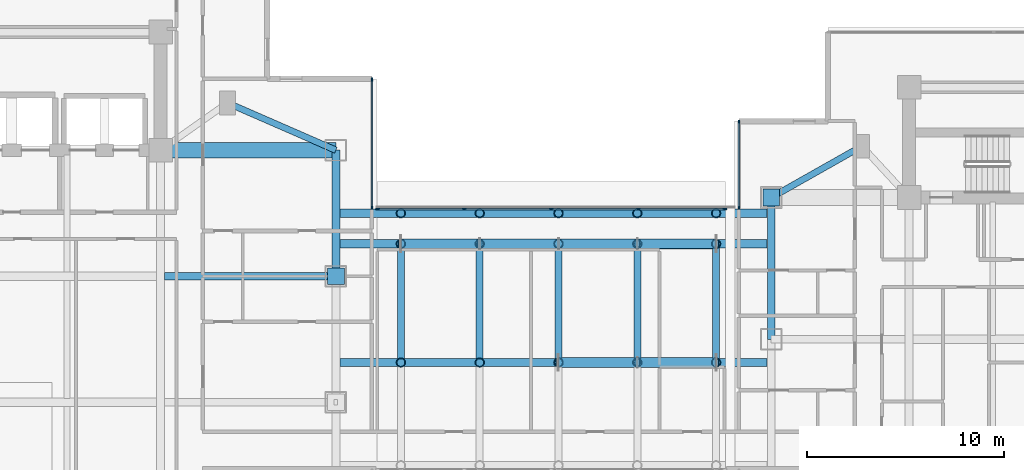
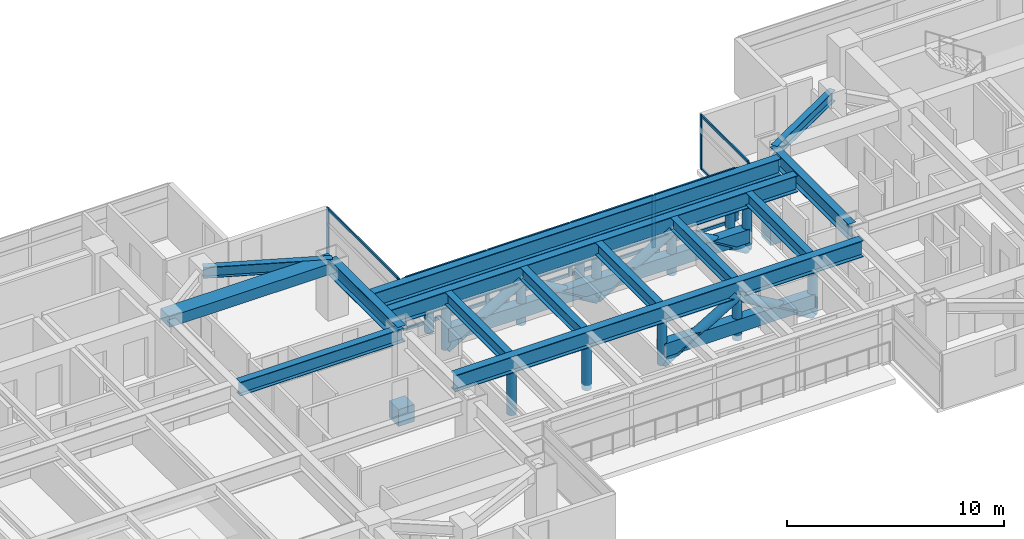
# One storey, part 6 of 29: 46 members, 14 beams, 3 elements without a shape of their own.
"""IFC4 building model written with IfcOpenShell, lengths in metres."""

from ifc_helpers import new_model, si_unit, direction, frame, origin, origin_2d, place, context, subcontext, project, spatial, rectangle, hollow_rectangle, hollow_circle, i_section, extrude, material, material_profile, profile_set, type_object, element, aggregate, save


model = new_model("IFC4")

# Units and contexts
model_context = context("Model", 3, precision=1e-05, world=origin(), true_north=direction((0.0, 1.0)))
body_context = subcontext(model_context, "Body", "Model", "MODEL_VIEW")
ifc_project = project(units=[si_unit("LENGTHUNIT", "METRE"), si_unit("AREAUNIT", "SQUARE_METRE"), si_unit("VOLUMEUNIT", "CUBIC_METRE"), si_unit("PLANEANGLEUNIT", "RADIAN"), si_unit("MASSUNIT", "GRAM", prefix="KILO")], contexts=[model_context])

# Site, building, storey
site_placement = place(None, origin())
site = spatial("IfcSite", under=ifc_project, at=site_placement, CompositionType="ELEMENT")
building_placement = place(site_placement, origin())
building = spatial("IfcBuilding", under=site, at=building_placement, Name="Mirazonda Arch Towers", CompositionType="ELEMENT")
storey_placement = place(building_placement, frame((0.0, 0.0, 88.39990234375)))
storey = spatial("IfcBuildingStorey", under=building, at=storey_placement, Name="L24", CompositionType="ELEMENT", Elevation=88.39990234375)

# Beams
ifc_material_1 = material(Name="Steel ASTM A992 Grade 50", Category="steel")
ifc_material_profile_1 = material_profile(ifc_material_1, i_section(OverallWidth=0.39990234375, OverallDepth=0.85595703125, WebThickness=0.018310546875, FlangeThickness=0.029296875, at=origin_2d()), Name="W33X201")
ifc_profile_set_1 = profile_set([ifc_material_profile_1], Name="Steel ASTM A992 Grade 50")
beam_type_1 = type_object("IfcBeamType", Name="BM-EXT-W33X201", PredefinedType="USERDEFINED", material=ifc_profile_set_1)
beam_1_placement = place(storey_placement, frame((61.0, 28.0, 2.652099609375), z_axis=(0.0, 1.0, 0.0), x_axis=(-1.0, 0.0, 0.0)))
element("IfcBeam", 1, at=beam_1_placement, inside=storey, type_object=beam_type_1, Name="L24 Floor Beam BM-T2-L24-NS-W-28", ObjectType="GIRDER", PredefinedType="USERDEFINED", context=body_context, shape_type="SweptSolid", body=[
    extrude(i_section(OverallWidth=0.39990234375, OverallDepth=0.85595703125, WebThickness=0.018310546875, FlangeThickness=0.029296875, at=origin_2d()), origin(), (0.0, 0.0, 1.0), 7.199951171875),
])
ifc_material_profile_2 = material_profile(ifc_material_1, i_section(OverallWidth=0.41796875, OverallDepth=0.927001953125, WebThickness=0.019287109375, FlangeThickness=0.031982421875, at=origin_2d()), Name="W36X231")
ifc_profile_set_2 = profile_set([ifc_material_profile_2], Name="Steel ASTM A992 Grade 50")
beam_type_2 = type_object("IfcBeamType", Name="BM-EXT-W36X231", PredefinedType="USERDEFINED", material=ifc_profile_set_2)
beam_2_placement = place(storey_placement, frame((38.89990234375, 31.199951171875, 2.61669921875), z_axis=(0.0, 1.0, 0.0), x_axis=(-1.0, 0.0, 0.0)))
element("IfcBeam", 2, at=beam_2_placement, inside=storey, type_object=beam_type_2, Name="L24 Floor Beam BM-T1-L24-NS-E-31", ObjectType="GIRDER", PredefinedType="USERDEFINED", context=body_context, shape_type="SweptSolid", body=[
    extrude(i_section(OverallWidth=0.41796875, OverallDepth=0.927001953125, WebThickness=0.019287109375, FlangeThickness=0.031982421875, at=origin_2d()), origin(), (0.0, 0.0, 1.0), 6.400146484375),
])
beam_3_placement = place(storey_placement, frame((39.10400390625, 34.39990234375, 2.556640625), z_axis=(1.0, 0.0, 0.0), x_axis=(0.0, 1.0, 0.0)))
element("IfcBeam", 3, at=beam_3_placement, inside=storey, type_object=beam_type_2, Name="L25 Skybridge N Longitudinal Box Girder", ObjectType="GIRDER", PredefinedType="USERDEFINED", context=body_context, shape_type="SweptSolid", body=[
    extrude(i_section(OverallWidth=0.41796875, OverallDepth=0.927001953125, WebThickness=0.019287109375, FlangeThickness=0.031982421875, at=origin_2d()), origin(), (0.0, 0.0, 1.0), 21.69189453125),
])
ifc_material_profile_3 = material_profile(ifc_material_1, i_section(OverallWidth=0.324951171875, OverallDepth=0.615966796875, WebThickness=0.013916015625, FlangeThickness=0.021484375, at=origin_2d()), Name="W24X117")
ifc_profile_set_3 = profile_set([ifc_material_profile_3], Name="Steel ASTM A992 Grade 50")
beam_type_3 = type_object("IfcBeamType", Name="BM-INT-W24X117", PredefinedType="BEAM", material=ifc_profile_set_3)
beam_4_placement = place(storey_placement, frame((33.39990234375, 40.0, 2.772216796875), z_axis=(0.916545343703, -0.399930785183, 0.0), x_axis=(0.399930785183, 0.916545343703, 0.0)))
element("IfcBeam", 4, at=beam_4_placement, inside=storey, type_object=beam_type_3, Name="L24 Floor Beam BM-T1-L24-PL-NE2", PredefinedType="BEAM", context=body_context, shape_type="SweptSolid", body=[
    extrude(i_section(OverallWidth=0.324951171875, OverallDepth=0.615966796875, WebThickness=0.013916015625, FlangeThickness=0.021484375, at=origin_2d()), origin(), (0.0, 0.0, 1.0), 6.000732421875),
])
beam_5_placement = place(storey_placement, frame((65.60009765625, 37.800048828125, 2.772216796875), z_axis=(-0.870559396632, -0.492063346467, 0.0), x_axis=(0.492063346467, -0.870559396632, 0.0)))
element("IfcBeam", 5, at=beam_5_placement, inside=storey, type_object=beam_type_3, Name="L24 Floor Beam BM-T2-L24-PL-NW2", PredefinedType="BEAM", context=body_context, shape_type="SweptSolid", body=[
    extrude(i_section(OverallWidth=0.324951171875, OverallDepth=0.615966796875, WebThickness=0.013916015625, FlangeThickness=0.021484375, at=origin_2d()), origin(), (0.0, 0.0, 1.0), 5.2841796875),
])
ifc_material_profile_4 = material_profile(ifc_material_1, i_section(OverallWidth=0.35498046875, OverallDepth=0.696044921875, WebThickness=0.015380859375, FlangeThickness=0.02490234375, at=origin_2d()), Name="W27X146")
ifc_profile_set_4 = profile_set([ifc_material_profile_4], Name="Steel ASTM A992 Grade 50")
beam_type_4 = type_object("IfcBeamType", Name="BM-INT-W27X146", PredefinedType="BEAM", material=ifc_profile_set_4)
for number, where, z_axis, x_axis, name in (
    (6, (42.199951171875, 27.02392578125, 2.672119140625), (0.0, 1.0, 0.0), (-1.0, 0.0, 0.0), "L24 Floor Beam BM-BRG-L25-XG1B"),
    (7, (46.199951171875, 27.02392578125, 2.672119140625), (0.0, 1.0, 0.0), (-1.0, 0.0, 0.0), "L24 Floor Beam BM-BRG-L25-XG2B"),
    (8, (50.199951171875, 27.02392578125, 2.672119140625), (0.0, 1.0, 0.0), (-1.0, 0.0, 0.0), "L24 Floor Beam BM-BRG-L25-XG3B"),
    (9, (54.199951171875, 27.02392578125, 2.672119140625), (0.0, 1.0, 0.0), (-1.0, 0.0, 0.0), "L24 Floor Beam BM-BRG-L25-XG4B"),
    (10, (58.199951171875, 27.02392578125, 2.672119140625), (0.0, 1.0, 0.0), (-1.0, 0.0, 0.0), "L24 Floor Beam BM-BRG-L25-XG5B"),
):
    element("IfcBeam", number, at=place(storey_placement, frame(where, z_axis=z_axis, x_axis=x_axis)), inside=storey, type_object=beam_type_4, Name=name, PredefinedType="BEAM", context=body_context, shape_type="SweptSolid", body=[
        extrude(i_section(OverallWidth=0.35498046875, OverallDepth=0.696044921875, WebThickness=0.015380859375, FlangeThickness=0.02490234375, at=origin_2d()), origin(), (0.0, 0.0, 1.0), 5.6220703125),
    ])
ifc_material_profile_5 = material_profile(ifc_material_1, i_section(OverallWidth=0.381103515625, OverallDepth=0.77294921875, WebThickness=0.0166015625, FlangeThickness=0.027099609375, at=origin_2d()), Name="W30X173")
ifc_profile_set_5 = profile_set([ifc_material_profile_5], Name="Steel ASTM A992 Grade 50")
beam_type_5 = type_object("IfcBeamType", Name="BM-INT-W30X173", PredefinedType="USERDEFINED", material=ifc_profile_set_5)
beam_6_placement = place(storey_placement, frame((30.21142578125, 31.199951171875, 2.693603515625), z_axis=(1.0, 0.0, 0.0), x_axis=(0.0, 1.0, 0.0)))
element("IfcBeam", 11, at=beam_6_placement, inside=storey, type_object=beam_type_5, Name="L24 Floor Beam BM-T1-L24-GE3", ObjectType="GIRDER", PredefinedType="USERDEFINED", context=body_context, shape_type="SweptSolid", body=[
    extrude(i_section(OverallWidth=0.381103515625, OverallDepth=0.77294921875, WebThickness=0.0166015625, FlangeThickness=0.027099609375, at=origin_2d()), origin(), (0.0, 0.0, 1.0), 8.6884765625),
])
ifc_material_profile_6 = material_profile(ifc_material_1, i_section(OverallWidth=0.41796875, OverallDepth=0.927001953125, WebThickness=0.019287109375, FlangeThickness=0.031982421875, at=origin_2d()), Name="W36X231")
ifc_profile_set_6 = profile_set([ifc_material_profile_6], Name="Steel ASTM A992 Grade 50")
beam_type_6 = type_object("IfcBeamType", Name="BM-INT-W36X231", PredefinedType="USERDEFINED", material=ifc_profile_set_6)
for number, where, z_axis, x_axis, name in (
    (12, (39.10400390625, 26.820068359375, 2.556640625), (1.0, 0.0, 0.0), (0.0, 1.0, 0.0), "L25 Skybridge IS Interior Truss Girder"),
    (13, (39.10400390625, 32.85009765625, 2.556640625), (1.0, 0.0, 0.0), (0.0, 1.0, 0.0), "L25 Skybridge IN Interior Truss Girder"),
):
    element("IfcBeam", number, at=place(storey_placement, frame(where, z_axis=z_axis, x_axis=x_axis)), inside=storey, type_object=beam_type_6, Name=name, ObjectType="GIRDER", PredefinedType="USERDEFINED", context=body_context, shape_type="SweptSolid", body=[
        extrude(i_section(OverallWidth=0.41796875, OverallDepth=0.927001953125, WebThickness=0.019287109375, FlangeThickness=0.031982421875, at=origin_2d()), origin(), (0.0, 0.0, 1.0), 21.69189453125),
    ])
ifc_material_2 = material(Name="Concrete C60/75", Category="concrete")
ifc_material_profile_7 = material_profile(ifc_material_2, rectangle(XDim=0.800048828125, YDim=0.60009765625, at=origin_2d()), Name="RCCB800x600")
ifc_profile_set_7 = profile_set([ifc_material_profile_7], Name="Concrete C60/75")
beam_type_7 = type_object("IfcBeamType", Name="CB-INT-RCCB800x600", PredefinedType="SPANDREL", material=ifc_profile_set_7)
beam_7_placement = place(storey_placement, frame((30.0, 37.60009765625, 2.780029296875), z_axis=(1.0, 0.0, 0.0), x_axis=(0.0, 1.0, 0.0)))
element("IfcBeam", 14, at=beam_7_placement, inside=storey, type_object=beam_type_7, Name="L24 Floor Beam CBC-T1-L24-NE", PredefinedType="SPANDREL", context=body_context, shape_type="SweptSolid", body=[
    extrude(rectangle(XDim=0.800048828125, YDim=0.60009765625, at=origin_2d()), origin(), (0.0, 0.0, 1.0), 8.89990234375),
])

# Members
ifc_material_3 = material(Name="Steel ASTM A572 Grade 50", Category="steel")
ifc_material_profile_8 = material_profile(ifc_material_3, hollow_circle(Radius=0.228515625, WallThickness=0.02197265625, at=origin_2d()), Name="BELTSTRUT457x22CHS")
ifc_profile_set_8 = profile_set([ifc_material_profile_8], Name="Steel ASTM A572 Grade 50")
member_type_1 = type_object("IfcMemberType", Name="MBR-EXT-BELTSTRUT457x22CHS", PredefinedType="STRUT", material=ifc_profile_set_8)
for number, where, z_axis, x_axis, name in (
    (15, (42.199951171875, 34.39990234375, -0.289794921875), (0.0, 0.0, 1.0), (1.0, 0.0, 0.0), "L24 Skybridge N Vierendeel Post 1"),
    (16, (46.199951171875, 34.39990234375, -0.289794921875), (0.0, 0.0, 1.0), (1.0, 0.0, 0.0), "L24 Skybridge N Vierendeel Post 2"),
    (17, (50.199951171875, 34.39990234375, -0.289794921875), (0.0, 0.0, 1.0), (1.0, 0.0, 0.0), "L24 Skybridge N Vierendeel Post 3"),
    (18, (54.199951171875, 34.39990234375, -0.289794921875), (0.0, 0.0, 1.0), (1.0, 0.0, 0.0), "L24 Skybridge N Vierendeel Post 4"),
    (19, (58.199951171875, 34.39990234375, -0.289794921875), (0.0, 0.0, 1.0), (1.0, 0.0, 0.0), "L24 Skybridge N Vierendeel Post 5"),
    (20, (42.199951171875, 26.820068359375, -0.289794921875), (0.0, 0.0, 1.0), (1.0, 0.0, 0.0), "L24 Skybridge IS Interior Truss Post 1"),
    (21, (46.199951171875, 26.820068359375, -0.289794921875), (0.0, 0.0, 1.0), (1.0, 0.0, 0.0), "L24 Skybridge IS Interior Truss Post 2"),
    (22, (50.199951171875, 26.820068359375, -0.289794921875), (0.0, 0.0, 1.0), (1.0, 0.0, 0.0), "L24 Skybridge IS Interior Truss Post 3"),
    (23, (54.199951171875, 26.820068359375, -0.289794921875), (0.0, 0.0, 1.0), (1.0, 0.0, 0.0), "L24 Skybridge IS Interior Truss Post 4"),
    (24, (58.199951171875, 26.820068359375, -0.289794921875), (0.0, 0.0, 1.0), (1.0, 0.0, 0.0), "L24 Skybridge IS Interior Truss Post 5"),
    (25, (42.199951171875, 32.85009765625, -0.289794921875), (0.0, 0.0, 1.0), (1.0, 0.0, 0.0), "L24 Skybridge IN Interior Truss Post 1"),
    (26, (46.199951171875, 32.85009765625, -0.289794921875), (0.0, 0.0, 1.0), (1.0, 0.0, 0.0), "L24 Skybridge IN Interior Truss Post 2"),
    (27, (50.199951171875, 32.85009765625, -0.289794921875), (0.0, 0.0, 1.0), (1.0, 0.0, 0.0), "L24 Skybridge IN Interior Truss Post 3"),
    (28, (54.199951171875, 32.85009765625, -0.289794921875), (0.0, 0.0, 1.0), (1.0, 0.0, 0.0), "L24 Skybridge IN Interior Truss Post 4"),
    (29, (58.199951171875, 32.85009765625, -0.289794921875), (0.0, 0.0, 1.0), (1.0, 0.0, 0.0), "L24 Skybridge IN Interior Truss Post 5"),
):
    element("IfcMember", number, at=place(storey_placement, frame(where, z_axis=z_axis, x_axis=x_axis)), inside=storey, type_object=member_type_1, Name=name, PredefinedType="STRUT", context=body_context, shape_type="SweptSolid", body=[
        extrude(hollow_circle(Radius=0.228515625, WallThickness=0.02197265625, at=origin_2d()), origin(), (0.0, 0.0, 1.0), 2.392822265625),
    ])
ifc_material_profile_9 = material_profile(ifc_material_3, hollow_rectangle(XDim=0.5, YDim=0.75, WallThickness=0.0419921875, at=origin_2d()), Name="BRGCHORD750x500x42")
ifc_profile_set_9 = profile_set([ifc_material_profile_9], Name="Steel ASTM A572 Grade 50")
member_type_2 = type_object("IfcMemberType", Name="MBR-EXT-BRGCHORD750x500x42", PredefinedType="CHORD", material=ifc_profile_set_9)
member_1_placement = place(storey_placement, frame((50.199951171875, 26.820068359375, 0.550048828125), z_axis=(1.0, 0.0, 0.0), x_axis=(0.0, 1.0, 0.0)))
element("IfcMember", 30, at=member_1_placement, inside=storey, type_object=member_type_2, Name="L24 Skybridge IS Truss Chord", PredefinedType="CHORD", context=body_context, shape_type="SweptSolid", body=[
    extrude(hollow_rectangle(XDim=0.5, YDim=0.75, WallThickness=0.0419921875, at=origin_2d()), origin(), (0.0, 0.0, 1.0), 8.0),
])
member_2_placement = place(storey_placement, frame((42.199951171875, 32.85009765625, 0.550048828125), z_axis=(1.0, 0.0, 0.0), x_axis=(0.0, 1.0, 0.0)))
element("IfcMember", 31, at=member_2_placement, inside=storey, type_object=member_type_2, Name="L24 Skybridge IN Truss Chord", PredefinedType="CHORD", context=body_context, shape_type="SweptSolid", body=[
    extrude(hollow_rectangle(XDim=0.5, YDim=0.75, WallThickness=0.0419921875, at=origin_2d()), origin(), (0.0, 0.0, 1.0), 16.0),
])
ifc_material_profile_10 = material_profile(ifc_material_3, hollow_circle(Radius=0.25390625, WallThickness=0.02490234375, at=origin_2d()), Name="BRGDIAG508x25CHS")
ifc_profile_set_10 = profile_set([ifc_material_profile_10], Name="Steel ASTM A572 Grade 50")
member_type_3 = type_object("IfcMemberType", Name="MBR-EXT-BRGDIAG508x25CHS", PredefinedType="BRACE", material=ifc_profile_set_10)
for number, where, z_axis, x_axis, name in (
    (32, (50.199951171875, 26.820068359375, -0.289794921875), (0.85817155983, 0.0, 0.513363004022), (0.0, 1.0, 0.0), "L24 Skybridge IS Web Diagonal 3"),
    (33, (54.199951171875, 26.820068359375, 2.10302734375), (0.85817155983, 0.0, -0.513363004022), (0.0, 1.0, 0.0), "L24 Skybridge IS Web Diagonal 4"),
    (34, (42.199951171875, 32.85009765625, -0.289794921875), (0.85817155983, 0.0, 0.513363004022), (0.0, 1.0, 0.0), "L24 Skybridge IN Web Diagonal 1"),
    (35, (46.199951171875, 32.85009765625, 2.10302734375), (0.85817155983, 0.0, -0.513363004022), (0.0, 1.0, 0.0), "L24 Skybridge IN Web Diagonal 2"),
    (36, (50.199951171875, 32.85009765625, -0.289794921875), (0.85817155983, 0.0, 0.513363004022), (0.0, 1.0, 0.0), "L24 Skybridge IN Web Diagonal 3"),
    (37, (54.199951171875, 32.85009765625, 2.10302734375), (0.85817155983, 0.0, -0.513363004022), (0.0, 1.0, 0.0), "L24 Skybridge IN Web Diagonal 4"),
):
    element("IfcMember", number, at=place(storey_placement, frame(where, z_axis=z_axis, x_axis=x_axis)), inside=storey, type_object=member_type_3, Name=name, PredefinedType="BRACE", context=body_context, shape_type="SweptSolid", body=[
        extrude(hollow_circle(Radius=0.25390625, WallThickness=0.02490234375, at=origin_2d()), origin(), (0.0, 0.0, 1.0), 4.6611328125),
    ])
ifc_material_profile_11 = material_profile(ifc_material_3, rectangle(XDim=0.85009765625, YDim=0.85009765625, at=origin_2d()), Name="SLIDEBEARING850x850x220")
ifc_profile_set_11 = profile_set([ifc_material_profile_11], Name="Steel ASTM A572 Grade 50")
member_type_4 = type_object("IfcMemberType", Name="MBR-EXT-SLIDEBEARING850x850x220", PredefinedType="USERDEFINED", material=ifc_profile_set_11)
for number, where, z_axis, x_axis, name in (
    (38, (38.89990234375, 31.199951171875, -2.156982421875), (0.0, 0.0, 1.0), (1.0, 0.0, 0.0), "SB1 Skybridge Bearing BRG-BEAR-SB1-2"),
    (39, (61.0, 35.199951171875, -2.156982421875), (0.0, 0.0, 1.0), (1.0, 0.0, 0.0), "SB2 Skybridge Bearing BRG-BEAR-SB2-2"),
):
    element("IfcMember", number, at=place(storey_placement, frame(where, z_axis=z_axis, x_axis=x_axis)), inside=storey, type_object=member_type_4, Name=name, ObjectType="BEARING", PredefinedType="USERDEFINED", context=body_context, shape_type="SweptSolid", body=[
        extrude(rectangle(XDim=0.85009765625, YDim=0.85009765625, at=origin_2d()), origin(), (0.0, 0.0, 1.0), 0.9501953125),
    ])

# Curtain wall, members
ifc_material_4 = material(Name="Anodised Aluminium and Low-E Glass", Category="aluminium")
curtain_wall_type_1 = type_object("IfcCurtainWallType", Name="CW-BRG-LINK", PredefinedType="NOTDEFINED", material=ifc_material_4)
curtain_wall_1_placement = place(storey_placement, origin())
curtain_wall_1 = element("IfcCurtainWall", 40, at=curtain_wall_1_placement, inside=storey, type_object=curtain_wall_type_1, Name="L24 Skybridge North Glazing CW-L24-BRG-N", PredefinedType="NOTDEFINED")
ifc_material_5 = material(Name="Anodised Aluminium Alloy", Category="aluminium")
ifc_material_profile_12 = material_profile(ifc_material_5, rectangle(XDim=0.0849609375, YDim=0.199951171875, at=origin_2d()), Name="ALU-MULL-85x200")
ifc_profile_set_12 = profile_set([ifc_material_profile_12], Name="Anodised Aluminium Alloy")
member_type_5 = type_object("IfcMemberType", Name="MULL-CW-BRG-LINK", PredefinedType="MULLION", material=ifc_profile_set_12)
member_3_placement = place(storey_placement, frame((41.032470703125, 34.6201171875, 0.06005859375), z_axis=(0.0, 0.0, 1.0), x_axis=(0.0, 1.0, 0.0)))
member_3 = element("IfcMember", 41, at=member_3_placement, type_object=member_type_5, Name="CW-103 mullion 1", PredefinedType="MULLION", context=body_context, shape_type="SweptSolid", body=[
    extrude(rectangle(XDim=0.0849609375, YDim=0.199951171875, at=origin_2d()), origin(), (0.0, 0.0, 1.0), 2.93994140625),
])
member_4_placement = place(storey_placement, frame((45.414306640625, 34.6201171875, 0.06005859375), z_axis=(0.0, 0.0, 1.0), x_axis=(0.0, 1.0, 0.0)))
member_4 = element("IfcMember", 42, at=member_4_placement, type_object=member_type_5, Name="CW-103 mullion 2", PredefinedType="MULLION", context=body_context, shape_type="SweptSolid", body=[
    extrude(rectangle(XDim=0.0849609375, YDim=0.199951171875, at=origin_2d()), origin(), (0.0, 0.0, 1.0), 2.93994140625),
])
member_5_placement = place(storey_placement, frame((49.8388671875, 34.6201171875, 0.06005859375), z_axis=(0.0, 0.0, 1.0), x_axis=(0.0, 1.0, 0.0)))
member_5 = element("IfcMember", 43, at=member_5_placement, type_object=member_type_5, Name="CW-103 mullion 3", PredefinedType="MULLION", context=body_context, shape_type="SweptSolid", body=[
    extrude(rectangle(XDim=0.0849609375, YDim=0.199951171875, at=origin_2d()), origin(), (0.0, 0.0, 1.0), 2.93994140625),
])
member_6_placement = place(storey_placement, frame((54.26318359375, 34.6201171875, 0.06005859375), z_axis=(0.0, 0.0, 1.0), x_axis=(0.0, 1.0, 0.0)))
member_6 = element("IfcMember", 44, at=member_6_placement, type_object=member_type_5, Name="CW-103 mullion 4", PredefinedType="MULLION", context=body_context, shape_type="SweptSolid", body=[
    extrude(rectangle(XDim=0.0849609375, YDim=0.199951171875, at=origin_2d()), origin(), (0.0, 0.0, 1.0), 2.93994140625),
])
member_7_placement = place(storey_placement, frame((58.64501953125, 34.6201171875, 0.06005859375), z_axis=(0.0, 0.0, 1.0), x_axis=(0.0, 1.0, 0.0)))
member_7 = element("IfcMember", 45, at=member_7_placement, type_object=member_type_5, Name="CW-103 mullion 5", PredefinedType="MULLION", context=body_context, shape_type="SweptSolid", body=[
    extrude(rectangle(XDim=0.0849609375, YDim=0.199951171875, at=origin_2d()), origin(), (0.0, 0.0, 1.0), 2.93994140625),
])

curtain_wall_type_2 = type_object("IfcCurtainWallType", Name="CW-HTL-UNIT", PredefinedType="NOTDEFINED", material=ifc_material_4)
curtain_wall_2_placement = place(storey_placement, origin())
curtain_wall_2 = element("IfcCurtainWall", 46, at=curtain_wall_2_placement, inside=storey, type_object=curtain_wall_type_2, Name="L24 Curtain Wall CW-L24-T1-E2", PredefinedType="NOTDEFINED")
ifc_material_profile_13 = material_profile(ifc_material_5, rectangle(XDim=0.074951171875, YDim=0.1650390625, at=origin_2d()), Name="ALU-MULL-75x165")
ifc_profile_set_13 = profile_set([ifc_material_profile_13], Name="Anodised Aluminium Alloy")
member_type_6 = type_object("IfcMemberType", Name="MULL-CW-HTL-UNIT", PredefinedType="MULLION", material=ifc_profile_set_13)
member_8_placement = place(storey_placement, frame((40.72998046875, 34.677490234375, 0.0), z_axis=(0.0, 0.0, 1.0), x_axis=(-1.0, 0.0, 0.0)))
member_8 = element("IfcMember", 47, at=member_8_placement, type_object=member_type_6, Name="CW-112 mullion 1", PredefinedType="MULLION", context=body_context, shape_type="SweptSolid", body=[
    extrude(rectangle(XDim=0.074951171875, YDim=0.1650390625, at=origin_2d()), origin(), (0.0, 0.0, 1.0), 3.06005859375),
])
member_9_placement = place(storey_placement, frame((40.72998046875, 41.1875, 0.0), z_axis=(0.0, 0.0, 1.0), x_axis=(-1.0, 0.0, 0.0)))
member_9 = element("IfcMember", 48, at=member_9_placement, type_object=member_type_6, Name="CW-112 mullion 2", PredefinedType="MULLION", context=body_context, shape_type="SweptSolid", body=[
    extrude(rectangle(XDim=0.074951171875, YDim=0.1650390625, at=origin_2d()), origin(), (0.0, 0.0, 1.0), 3.06005859375),
])

curtain_wall_3_placement = place(storey_placement, origin())
curtain_wall_3 = element("IfcCurtainWall", 49, at=curtain_wall_3_placement, inside=storey, type_object=curtain_wall_type_2, Name="L24 Curtain Wall CW-L24-T2-W1", PredefinedType="NOTDEFINED")
member_10_placement = place(storey_placement, frame((59.357421875, 39.043701171875, 0.0), z_axis=(0.0, 0.0, 1.0), x_axis=(1.0, 0.0, 0.0)))
member_10 = element("IfcMember", 50, at=member_10_placement, type_object=member_type_6, Name="CW-112 mullion 1", PredefinedType="MULLION", context=body_context, shape_type="SweptSolid", body=[
    extrude(rectangle(XDim=0.074951171875, YDim=0.1650390625, at=origin_2d()), origin(), (0.0, 0.0, 1.0), 3.06005859375),
])
member_11_placement = place(storey_placement, frame((59.357421875, 34.677490234375, 0.0), z_axis=(0.0, 0.0, 1.0), x_axis=(1.0, 0.0, 0.0)))
member_11 = element("IfcMember", 51, at=member_11_placement, type_object=member_type_6, Name="CW-112 mullion 2", PredefinedType="MULLION", context=body_context, shape_type="SweptSolid", body=[
    extrude(rectangle(XDim=0.074951171875, YDim=0.1650390625, at=origin_2d()), origin(), (0.0, 0.0, 1.0), 3.06005859375),
])

# Member
ifc_material_profile_14 = material_profile(ifc_material_5, rectangle(XDim=0.0849609375, YDim=0.179931640625, at=origin_2d()), Name="ALU-TRAN-85x180")
ifc_profile_set_14 = profile_set([ifc_material_profile_14], Name="Anodised Aluminium Alloy")
member_type_7 = type_object("IfcMemberType", Name="TRAN-CW-BRG-LINK", PredefinedType="USERDEFINED", material=ifc_profile_set_14)
member_12_placement = place(storey_placement, frame((41.074951171875, 34.6201171875, 0.1025390625), z_axis=(1.0, 0.0, 0.0), x_axis=(0.0, 1.0, 0.0)))
member_12 = element("IfcMember", 52, at=member_12_placement, type_object=member_type_7, Name="CW-103 transom 1.1", ObjectType="TRANSOM", PredefinedType="USERDEFINED", context=body_context, shape_type="SweptSolid", body=[
    extrude(rectangle(XDim=0.0849609375, YDim=0.179931640625, at=origin_2d()), origin(), (0.0, 0.0, 1.0), 4.296875),
])

member_13_placement = place(storey_placement, frame((41.074951171875, 34.6201171875, 2.95751953125), z_axis=(1.0, 0.0, 0.0), x_axis=(0.0, 1.0, 0.0)))
member_13 = element("IfcMember", 53, at=member_13_placement, type_object=member_type_7, Name="CW-103 transom 1.2", ObjectType="TRANSOM", PredefinedType="USERDEFINED", context=body_context, shape_type="SweptSolid", body=[
    extrude(rectangle(XDim=0.0849609375, YDim=0.179931640625, at=origin_2d()), origin(), (0.0, 0.0, 1.0), 4.296875),
])

member_14_placement = place(storey_placement, frame((45.456787109375, 34.6201171875, 0.1025390625), z_axis=(1.0, 0.0, 0.0), x_axis=(0.0, 1.0, 0.0)))
member_14 = element("IfcMember", 54, at=member_14_placement, type_object=member_type_7, Name="CW-103 transom 2.1", ObjectType="TRANSOM", PredefinedType="USERDEFINED", context=body_context, shape_type="SweptSolid", body=[
    extrude(rectangle(XDim=0.0849609375, YDim=0.179931640625, at=origin_2d()), origin(), (0.0, 0.0, 1.0), 4.33935546875),
])

member_15_placement = place(storey_placement, frame((45.456787109375, 34.6201171875, 2.95751953125), z_axis=(1.0, 0.0, 0.0), x_axis=(0.0, 1.0, 0.0)))
member_15 = element("IfcMember", 55, at=member_15_placement, type_object=member_type_7, Name="CW-103 transom 2.2", ObjectType="TRANSOM", PredefinedType="USERDEFINED", context=body_context, shape_type="SweptSolid", body=[
    extrude(rectangle(XDim=0.0849609375, YDim=0.179931640625, at=origin_2d()), origin(), (0.0, 0.0, 1.0), 4.33935546875),
])

member_16_placement = place(storey_placement, frame((49.88134765625, 34.6201171875, 0.1025390625), z_axis=(1.0, 0.0, 0.0), x_axis=(0.0, 1.0, 0.0)))
member_16 = element("IfcMember", 56, at=member_16_placement, type_object=member_type_7, Name="CW-103 transom 3.1", ObjectType="TRANSOM", PredefinedType="USERDEFINED", context=body_context, shape_type="SweptSolid", body=[
    extrude(rectangle(XDim=0.0849609375, YDim=0.179931640625, at=origin_2d()), origin(), (0.0, 0.0, 1.0), 4.33935546875),
])

member_17_placement = place(storey_placement, frame((49.88134765625, 34.6201171875, 2.95751953125), z_axis=(1.0, 0.0, 0.0), x_axis=(0.0, 1.0, 0.0)))
member_17 = element("IfcMember", 57, at=member_17_placement, type_object=member_type_7, Name="CW-103 transom 3.2", ObjectType="TRANSOM", PredefinedType="USERDEFINED", context=body_context, shape_type="SweptSolid", body=[
    extrude(rectangle(XDim=0.0849609375, YDim=0.179931640625, at=origin_2d()), origin(), (0.0, 0.0, 1.0), 4.33935546875),
])

member_18_placement = place(storey_placement, frame((54.3056640625, 34.6201171875, 0.1025390625), z_axis=(1.0, 0.0, 0.0), x_axis=(0.0, 1.0, 0.0)))
member_18 = element("IfcMember", 58, at=member_18_placement, type_object=member_type_7, Name="CW-103 transom 4.1", ObjectType="TRANSOM", PredefinedType="USERDEFINED", context=body_context, shape_type="SweptSolid", body=[
    extrude(rectangle(XDim=0.0849609375, YDim=0.179931640625, at=origin_2d()), origin(), (0.0, 0.0, 1.0), 4.296875),
])

member_19_placement = place(storey_placement, frame((54.3056640625, 34.6201171875, 2.95751953125), z_axis=(1.0, 0.0, 0.0), x_axis=(0.0, 1.0, 0.0)))
member_19 = element("IfcMember", 59, at=member_19_placement, type_object=member_type_7, Name="CW-103 transom 4.2", ObjectType="TRANSOM", PredefinedType="USERDEFINED", context=body_context, shape_type="SweptSolid", body=[
    extrude(rectangle(XDim=0.0849609375, YDim=0.179931640625, at=origin_2d()), origin(), (0.0, 0.0, 1.0), 4.296875),
])

aggregate(curtain_wall_1, [member_3, member_4, member_5, member_6, member_7, member_12, member_13, member_14, member_15, member_16, member_17, member_18, member_19])

ifc_material_profile_15 = material_profile(ifc_material_5, rectangle(XDim=0.074951171875, YDim=0.14501953125, at=origin_2d()), Name="ALU-TRAN-75x145")
ifc_profile_set_15 = profile_set([ifc_material_profile_15], Name="Anodised Aluminium Alloy")
member_type_8 = type_object("IfcMemberType", Name="TRAN-CW-HTL-UNIT", PredefinedType="USERDEFINED", material=ifc_profile_set_15)
member_20_placement = place(storey_placement, frame((40.72998046875, 34.715087890625, 0.03759765625), z_axis=(0.0, 1.0, 0.0), x_axis=(-1.0, 0.0, 0.0)))
member_20 = element("IfcMember", 60, at=member_20_placement, type_object=member_type_8, Name="CW-112 transom 1.1", ObjectType="TRANSOM", PredefinedType="USERDEFINED", context=body_context, shape_type="SweptSolid", body=[
    extrude(rectangle(XDim=0.074951171875, YDim=0.14501953125, at=origin_2d()), origin(), (0.0, 0.0, 1.0), 6.434814453125),
])

member_21_placement = place(storey_placement, frame((40.72998046875, 34.715087890625, 3.022705078125), z_axis=(0.0, 1.0, 0.0), x_axis=(-1.0, 0.0, 0.0)))
member_21 = element("IfcMember", 61, at=member_21_placement, type_object=member_type_8, Name="CW-112 transom 1.2", ObjectType="TRANSOM", PredefinedType="USERDEFINED", context=body_context, shape_type="SweptSolid", body=[
    extrude(rectangle(XDim=0.074951171875, YDim=0.14501953125, at=origin_2d()), origin(), (0.0, 0.0, 1.0), 6.434814453125),
])

aggregate(curtain_wall_2, [member_8, member_9, member_20, member_21])

member_22_placement = place(storey_placement, frame((59.357421875, 39.006103515625, 0.03759765625), z_axis=(0.0, -1.0, 0.0), x_axis=(1.0, 0.0, 0.0)))
member_22 = element("IfcMember", 62, at=member_22_placement, type_object=member_type_8, Name="CW-112 transom 1.1", ObjectType="TRANSOM", PredefinedType="USERDEFINED", context=body_context, shape_type="SweptSolid", body=[
    extrude(rectangle(XDim=0.074951171875, YDim=0.14501953125, at=origin_2d()), origin(), (0.0, 0.0, 1.0), 4.291015625),
])

member_23_placement = place(storey_placement, frame((59.357421875, 39.006103515625, 3.022705078125), z_axis=(0.0, -1.0, 0.0), x_axis=(1.0, 0.0, 0.0)))
member_23 = element("IfcMember", 63, at=member_23_placement, type_object=member_type_8, Name="CW-112 transom 1.2", ObjectType="TRANSOM", PredefinedType="USERDEFINED", context=body_context, shape_type="SweptSolid", body=[
    extrude(rectangle(XDim=0.074951171875, YDim=0.14501953125, at=origin_2d()), origin(), (0.0, 0.0, 1.0), 4.291015625),
])

aggregate(curtain_wall_3, [member_10, member_11, member_22, member_23])

save(model, "model.ifc")
